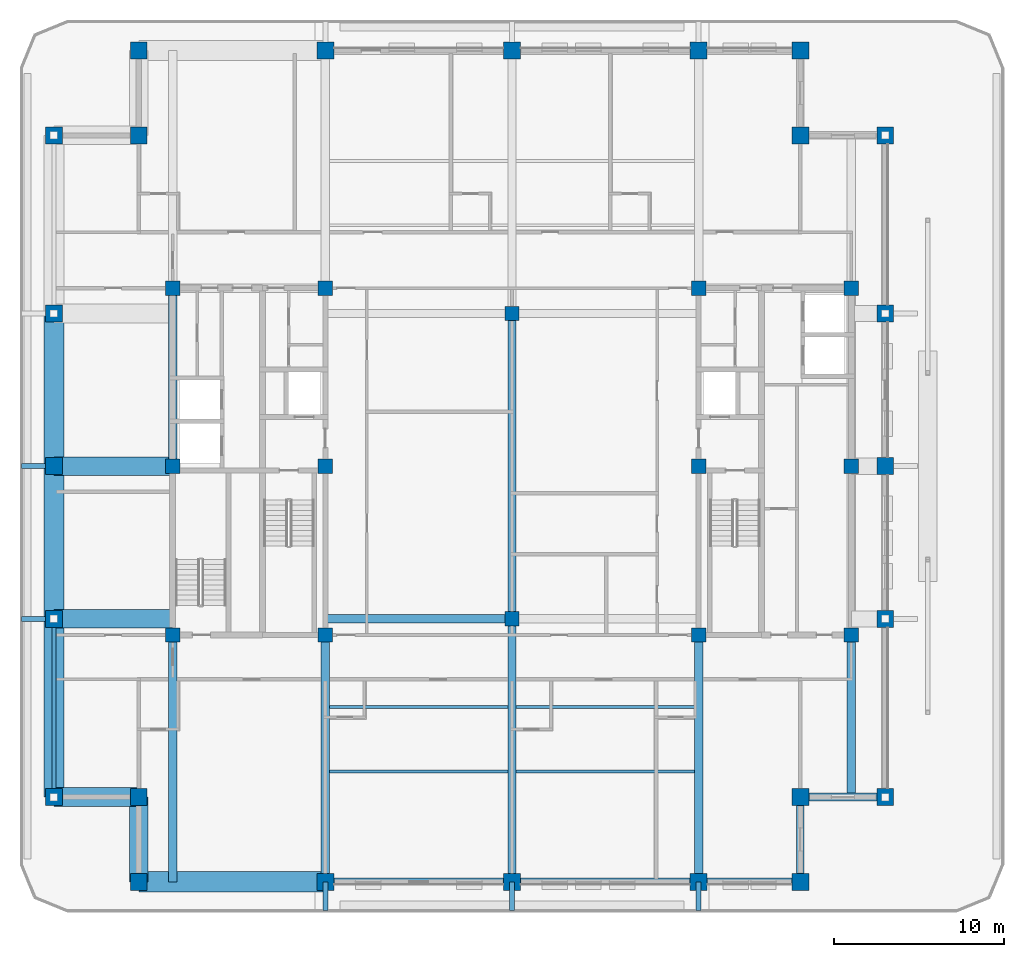
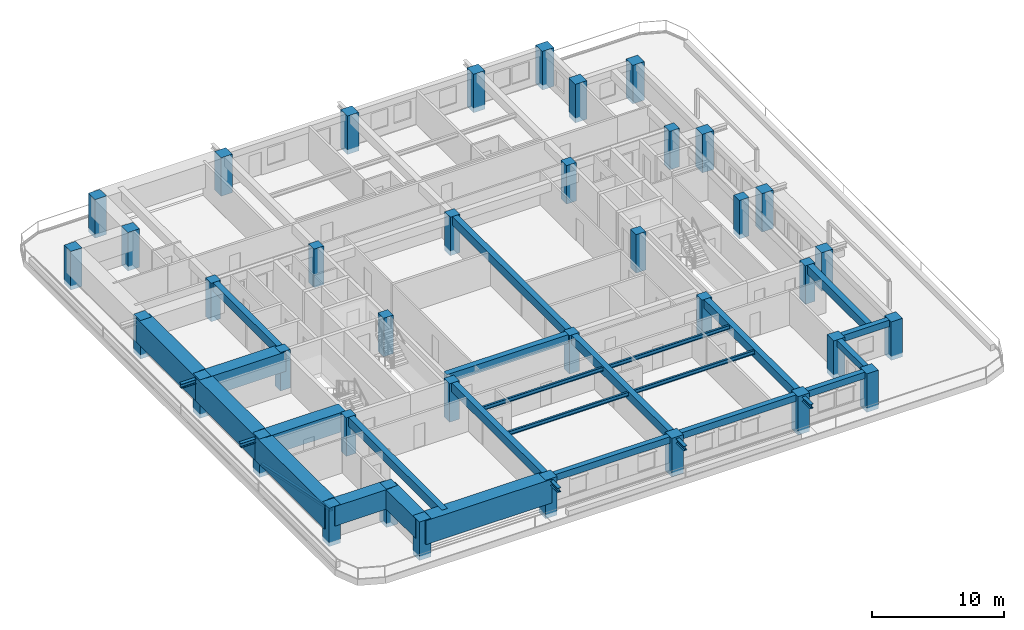
# One storey, part 1 of 18: 38 columns, 30 beams, 1 member.
"""IFC4 building model written with IfcOpenShell, lengths in metres."""

from ifc_helpers import new_model, si_unit, direction, frame, origin, origin_2d, place, context, subcontext, project, spatial, rectangle, hollow_rectangle, i_section, extrude, material, material_profile, profile_set, type_object, element, save


model = new_model("IFC4")

# Units and contexts
model_context = context("Model", 3, precision=1e-05, world=origin(), true_north=direction((0.0, 1.0)))
body_context = subcontext(model_context, "Body", "Model", "MODEL_VIEW")
ifc_project = project(units=[si_unit("LENGTHUNIT", "METRE"), si_unit("AREAUNIT", "SQUARE_METRE"), si_unit("VOLUMEUNIT", "CUBIC_METRE"), si_unit("PLANEANGLEUNIT", "RADIAN"), si_unit("MASSUNIT", "GRAM", prefix="KILO")], contexts=[model_context])

# Site, building, storey
site_placement = place(None, origin())
site = spatial("IfcSite", under=ifc_project, at=site_placement, CompositionType="ELEMENT")
building_placement = place(site_placement, origin())
building = spatial("IfcBuilding", under=site, at=building_placement, Name="Zulmaris Gate Convention Tower", CompositionType="ELEMENT")
storey_placement = place(building_placement, frame((0.0, 0.0, 191.4599609375)))
storey = spatial("IfcBuildingStorey", under=building, at=storey_placement, Name="L49", CompositionType="ELEMENT", Elevation=191.4599609375)

# Columns
ifc_material_1 = material(Name="Concrete C60/75", Category="concrete")
ifc_material_profile_1 = material_profile(ifc_material_1, rectangle(XDim=1.0, YDim=1.0, at=origin_2d()), Name="RC COL 1000x1000")
ifc_profile_set_1 = profile_set([ifc_material_profile_1], Name="Concrete C60/75")
column_type_1 = type_object("IfcColumnType", Name="COL-RC1000", PredefinedType="COLUMN", material=ifc_profile_set_1)
for number, where, z_axis, x_axis, name in (
    (1, (-22.0, -24.5, -0.425048828125), (0.0, 0.0, 1.0), (1.0, 0.0, 0.0), "L49 Column PT--22.00_-24.50"),
    (2, (-11.0, -24.5, -0.425048828125), (0.0, 0.0, 1.0), (1.0, 0.0, 0.0), "L49 Column PT--11.00_-24.50"),
    (3, (0.0, -24.5, -0.425048828125), (0.0, 0.0, 1.0), (1.0, 0.0, 0.0), "L49 Column PT-+0.00_-24.50"),
    (4, (11.0, -24.5, -0.425048828125), (0.0, 0.0, 1.0), (1.0, 0.0, 0.0), "L49 Column PT-+11.00_-24.50"),
    (5, (17.0, -24.5, -0.425048828125), (0.0, 0.0, 1.0), (1.0, 0.0, 0.0), "L49 Column PT-+17.00_-24.50"),
    (6, (-22.0, 24.5, -0.425048828125), (0.0, 0.0, 1.0), (1.0, 0.0, 0.0), "L49 Column PT--22.00_+24.50"),
    (7, (-11.0, 24.5, -0.425048828125), (0.0, 0.0, 1.0), (1.0, 0.0, 0.0), "L49 Column PT--11.00_+24.50"),
    (8, (0.0, 24.5, -0.425048828125), (0.0, 0.0, 1.0), (1.0, 0.0, 0.0), "L49 Column PT-+0.00_+24.50"),
    (9, (11.0, 24.5, -0.425048828125), (0.0, 0.0, 1.0), (1.0, 0.0, 0.0), "L49 Column PT-+11.00_+24.50"),
    (10, (17.0, 24.5, -0.425048828125), (0.0, 0.0, 1.0), (1.0, 0.0, 0.0), "L49 Column PT-+17.00_+24.50"),
    (11, (-27.0, -19.5, -0.425048828125), (0.0, 0.0, 1.0), (1.0, 0.0, 0.0), "L49 Column PT--27.00_-19.50"),
    (12, (-27.0, -9.0, -0.425048828125), (0.0, 0.0, 1.0), (1.0, 0.0, 0.0), "L49 Column PT--27.00_-9.00"),
    (13, (-27.0, 0.0, -0.425048828125), (0.0, 0.0, 1.0), (1.0, 0.0, 0.0), "L49 Column PT--27.00_+0.00"),
    (14, (-27.0, 9.0, -0.425048828125), (0.0, 0.0, 1.0), (1.0, 0.0, 0.0), "L49 Column PT--27.00_+9.00"),
    (15, (-27.0, 19.5, -0.425048828125), (0.0, 0.0, 1.0), (1.0, 0.0, 0.0), "L49 Column PT--27.00_+19.50"),
    (16, (22.0, -19.5, -0.425048828125), (0.0, 0.0, 1.0), (1.0, 0.0, 0.0), "L49 Column PT-+22.00_-19.50"),
    (17, (22.0, -9.0, -0.425048828125), (0.0, 0.0, 1.0), (1.0, 0.0, 0.0), "L49 Column PT-+22.00_-9.00"),
    (18, (22.0, 0.0, -0.425048828125), (0.0, 0.0, 1.0), (1.0, 0.0, 0.0), "L49 Column PT-+22.00_+0.00"),
    (19, (22.0, 9.0, -0.425048828125), (0.0, 0.0, 1.0), (1.0, 0.0, 0.0), "L49 Column PT-+22.00_+9.00"),
    (20, (22.0, 19.5, -0.425048828125), (0.0, 0.0, 1.0), (1.0, 0.0, 0.0), "L49 Column PT-+22.00_+19.50"),
    (21, (-22.0, -19.5, -0.425048828125), (0.0, 0.0, 1.0), (1.0, 0.0, 0.0), "L49 Column PT--22.00_-19.50"),
    (22, (17.0, -19.5, -0.425048828125), (0.0, 0.0, 1.0), (1.0, 0.0, 0.0), "L49 Column PT-+17.00_-19.50"),
    (23, (17.0, 19.5, -0.425048828125), (0.0, 0.0, 1.0), (1.0, 0.0, 0.0), "L49 Column PT-+17.00_+19.50"),
    (24, (-22.0, 19.5, -0.425048828125), (0.0, 0.0, 1.0), (1.0, 0.0, 0.0), "L49 Column PT--22.00_+19.50"),
):
    element("IfcColumn", number, at=place(storey_placement, frame(where, z_axis=z_axis, x_axis=x_axis)), inside=storey, type_object=column_type_1, Name=name, PredefinedType="COLUMN", context=body_context, shape_type="SweptSolid", body=[
        extrude(rectangle(XDim=1.0, YDim=1.0, at=origin_2d()), origin(), (0.0, 0.0, 1.0), 3.550048828125),
    ])
ifc_material_profile_2 = material_profile(ifc_material_1, rectangle(XDim=0.85009765625, YDim=0.85009765625, at=origin_2d()), Name="RC COL 850x850")
ifc_profile_set_2 = profile_set([ifc_material_profile_2], Name="Concrete C60/75")
column_type_2 = type_object("IfcColumnType", Name="COL-RC850", PredefinedType="COLUMN", material=ifc_profile_set_2)
for number, where, z_axis, x_axis, name in (
    (25, (-20.0, -9.949951171875, -0.425048828125), (0.0, 0.0, 1.0), (1.0, 0.0, 0.0), "L49 Column IN--20.00_-9.95"),
    (26, (-20.0, 10.5, -0.425048828125), (0.0, 0.0, 1.0), (1.0, 0.0, 0.0), "L49 Column IN--20.00_+10.50"),
    (27, (-11.0, -9.949951171875, -0.425048828125), (0.0, 0.0, 1.0), (1.0, 0.0, 0.0), "L49 Column IN--11.00_-9.95"),
    (28, (-11.0, 0.0, -0.425048828125), (0.0, 0.0, 1.0), (1.0, 0.0, 0.0), "L49 Column IN--11.00_+0.00"),
    (29, (-11.0, 10.5, -0.425048828125), (0.0, 0.0, 1.0), (1.0, 0.0, 0.0), "L49 Column IN--11.00_+10.50"),
    (30, (11.0, -9.949951171875, -0.425048828125), (0.0, 0.0, 1.0), (1.0, 0.0, 0.0), "L49 Column IN-+11.00_-9.95"),
    (31, (11.0, 0.0, -0.425048828125), (0.0, 0.0, 1.0), (1.0, 0.0, 0.0), "L49 Column IN-+11.00_+0.00"),
    (32, (11.0, 10.5, -0.425048828125), (0.0, 0.0, 1.0), (1.0, 0.0, 0.0), "L49 Column IN-+11.00_+10.50"),
    (33, (20.0, -9.949951171875, -0.425048828125), (0.0, 0.0, 1.0), (1.0, 0.0, 0.0), "L49 Column IN-+20.00_-9.95"),
    (34, (20.0, 10.5, -0.425048828125), (0.0, 0.0, 1.0), (1.0, 0.0, 0.0), "L49 Column IN-+20.00_+10.50"),
    (35, (0.0, -9.0, -0.425048828125), (0.0, 0.0, 1.0), (1.0, 0.0, 0.0), "L49 Column IN-+0.00_-9.00"),
    (36, (0.0, 9.0, -0.425048828125), (0.0, 0.0, 1.0), (1.0, 0.0, 0.0), "L49 Column IN-+0.00_+9.00"),
    (37, (-20.0, 0.0, -0.425048828125), (0.0, 0.0, 1.0), (1.0, 0.0, 0.0), "L49 Column IN--20.00_+0.00"),
    (38, (20.0, 0.0, -0.425048828125), (0.0, 0.0, 1.0), (1.0, 0.0, 0.0), "L49 Column IN-+20.00_+0.00"),
):
    element("IfcColumn", number, at=place(storey_placement, frame(where, z_axis=z_axis, x_axis=x_axis)), inside=storey, type_object=column_type_2, Name=name, PredefinedType="COLUMN", context=body_context, shape_type="SweptSolid", body=[
        extrude(rectangle(XDim=0.85009765625, YDim=0.85009765625, at=origin_2d()), origin(), (0.0, 0.0, 1.0), 3.550048828125),
    ])

# Beams
ifc_material_2 = material(Name="Steel S355", Category="steel")
ifc_material_profile_3 = material_profile(ifc_material_2, i_section(OverallWidth=0.300048828125, OverallDepth=0.39990234375, WebThickness=0.013427734375, FlangeThickness=0.02392578125, FilletRadius=0.027099609375, at=origin_2d()), Name="HEB 400")
ifc_profile_set_3 = profile_set([ifc_material_profile_3], Name="Steel S355")
beam_type_1 = type_object("IfcBeamType", Name="BM-HEB400", PredefinedType="BEAM", material=ifc_profile_set_3)
for number, where, z_axis, x_axis, name in (
    (39, (-11.0, -26.199951171875, 2.77294921875), (0.0, 1.0, 0.0), (-1.0, 0.0, 0.0), "L49 Beam TBRK-L49-S--11"),
    (40, (0.0, -26.199951171875, 2.77294921875), (0.0, 1.0, 0.0), (-1.0, 0.0, 0.0), "L49 Beam TBRK-L49-S-+0"),
    (41, (11.0, -26.199951171875, 2.77294921875), (0.0, 1.0, 0.0), (-1.0, 0.0, 0.0), "L49 Beam TBRK-L49-S-+11"),
):
    element("IfcBeam", number, at=place(storey_placement, frame(where, z_axis=z_axis, x_axis=x_axis)), inside=storey, type_object=beam_type_1, Name=name, PredefinedType="BEAM", context=body_context, shape_type="SweptSolid", body=[
        extrude(i_section(OverallWidth=0.300048828125, OverallDepth=0.39990234375, WebThickness=0.013427734375, FlangeThickness=0.02392578125, FilletRadius=0.027099609375, at=origin_2d()), origin(), (0.0, 0.0, 1.0), 1.699951171875),
    ])
for number, where, z_axis, x_axis, name in (
    (42, (-28.89990234375, -9.0, 2.784912109375), (1.0, 0.0, 0.0), (0.0, 1.0, 0.0), "L49 Beam TBRK-L49-W--9"),
    (43, (-28.89990234375, 0.0, 2.784912109375), (1.0, 0.0, 0.0), (0.0, 1.0, 0.0), "L49 Beam TBRK-L49-W-+0"),
):
    element("IfcBeam", number, at=place(storey_placement, frame(where, z_axis=z_axis, x_axis=x_axis)), inside=storey, type_object=beam_type_1, Name=name, PredefinedType="BEAM", context=body_context, shape_type="SweptSolid", body=[
        extrude(i_section(OverallWidth=0.300048828125, OverallDepth=0.39990234375, WebThickness=0.013427734375, FlangeThickness=0.02392578125, FilletRadius=0.027099609375, at=origin_2d()), origin(), (0.0, 0.0, 1.0), 1.89990234375),
    ])
ifc_material_3 = material(Name="Concrete C50/60", Category="concrete")
ifc_material_profile_4 = material_profile(ifc_material_3, rectangle(XDim=0.5, YDim=0.800048828125, at=origin_2d()), Name="RC BEAM 500x800")
ifc_profile_set_4 = profile_set([ifc_material_profile_4], Name="Concrete C50/60")
beam_type_2 = type_object("IfcBeamType", Name="BM-RC500x800", PredefinedType="BEAM", material=ifc_profile_set_4)
beam_1_placement = place(storey_placement, frame((-11.0, -9.0, 2.724853515625), z_axis=(1.0, 0.0, 0.0), x_axis=(0.0, 1.0, 0.0)))
element("IfcBeam", 44, at=beam_1_placement, inside=storey, type_object=beam_type_2, Name="L49 Beam BM-L49-G01", PredefinedType="BEAM", context=body_context, shape_type="SweptSolid", body=[
    extrude(rectangle(XDim=0.5, YDim=0.800048828125, at=origin_2d()), origin(), (0.0, 0.0, 1.0), 11.0),
])
beam_2_placement = place(storey_placement, frame((0.0, -24.5, 2.724853515625), z_axis=(0.0, 1.0, 0.0), x_axis=(-1.0, 0.0, 0.0)))
element("IfcBeam", 45, at=beam_2_placement, inside=storey, type_object=beam_type_2, Name="L49 Beam BM-L49-G05", PredefinedType="BEAM", context=body_context, shape_type="SweptSolid", body=[
    extrude(rectangle(XDim=0.5, YDim=0.800048828125, at=origin_2d()), origin(), (0.0, 0.0, 1.0), 15.5),
])
beam_3_placement = place(storey_placement, frame((0.0, -9.0, 2.724853515625), z_axis=(0.0, 1.0, 0.0), x_axis=(-1.0, 0.0, 0.0)))
element("IfcBeam", 46, at=beam_3_placement, inside=storey, type_object=beam_type_2, Name="L49 Beam BM-L49-G06", PredefinedType="BEAM", context=body_context, shape_type="SweptSolid", body=[
    extrude(rectangle(XDim=0.5, YDim=0.800048828125, at=origin_2d()), origin(), (0.0, 0.0, 1.0), 18.0),
])
for number, where, z_axis, x_axis, name in (
    (47, (-11.0, -24.5, 2.724853515625), (0.0, 1.0, 0.0), (-1.0, 0.0, 0.0), "L49 Beam BM-L49-G08"),
    (48, (11.0, -24.5, 2.724853515625), (0.0, 1.0, 0.0), (-1.0, 0.0, 0.0), "L49 Beam BM-L49-G10"),
    (49, (-20.0, -24.5, 2.724853515625), (0.0, 1.0, 0.0), (-1.0, 0.0, 0.0), "L49 Beam BM-L49-G12"),
):
    element("IfcBeam", number, at=place(storey_placement, frame(where, z_axis=z_axis, x_axis=x_axis)), inside=storey, type_object=beam_type_2, Name=name, PredefinedType="BEAM", context=body_context, shape_type="SweptSolid", body=[
        extrude(rectangle(XDim=0.5, YDim=0.800048828125, at=origin_2d()), origin(), (0.0, 0.0, 1.0), 14.550048828125),
    ])
beam_4_placement = place(storey_placement, frame((20.0, -19.5, 2.724853515625), z_axis=(0.0, 1.0, 0.0), x_axis=(-1.0, 0.0, 0.0)))
element("IfcBeam", 50, at=beam_4_placement, inside=storey, type_object=beam_type_2, Name="L49 Beam BM-L49-G14", PredefinedType="BEAM", context=body_context, shape_type="SweptSolid", body=[
    extrude(rectangle(XDim=0.5, YDim=0.800048828125, at=origin_2d()), origin(), (0.0, 0.0, 1.0), 9.550048828125),
])
beam_5_placement = place(storey_placement, frame((-20.0, 0.0, 2.724853515625), z_axis=(0.0, 1.0, 0.0), x_axis=(-1.0, 0.0, 0.0)))
element("IfcBeam", 51, at=beam_5_placement, inside=storey, type_object=beam_type_2, Name="L49 Beam BM-L49-G27", PredefinedType="BEAM", context=body_context, shape_type="SweptSolid", body=[
    extrude(rectangle(XDim=0.5, YDim=0.800048828125, at=origin_2d()), origin(), (0.0, 0.0, 1.0), 10.5),
])
ifc_material_4 = material(Name="Precast concrete C50/60", Category="concrete")
ifc_material_profile_5 = material_profile(ifc_material_4, rectangle(XDim=0.449951171875, YDim=0.60009765625, at=origin_2d()), Name="RC SPANDREL 450x600")
ifc_profile_set_5 = profile_set([ifc_material_profile_5], Name="Precast concrete C50/60")
beam_type_3 = type_object("IfcBeamType", Name="BM-SP450x600", PredefinedType="SPANDREL", material=ifc_profile_set_5)
for number, where, z_axis, x_axis, name in (
    (52, (-11.0, -24.5, 2.824951171875), (1.0, 0.0, 0.0), (0.0, 1.0, 0.0), "L49 Spandrel SP-L49-02"),
    (53, (0.0, -24.5, 2.824951171875), (1.0, 0.0, 0.0), (0.0, 1.0, 0.0), "L49 Spandrel SP-L49-03"),
):
    element("IfcBeam", number, at=place(storey_placement, frame(where, z_axis=z_axis, x_axis=x_axis)), inside=storey, type_object=beam_type_3, Name=name, PredefinedType="SPANDREL", context=body_context, shape_type="SweptSolid", body=[
        extrude(rectangle(XDim=0.449951171875, YDim=0.60009765625, at=origin_2d()), origin(), (0.0, 0.0, 1.0), 11.0),
    ])
beam_6_placement = place(storey_placement, frame((11.0, -24.5, 2.824951171875), z_axis=(1.0, 0.0, 0.0), x_axis=(0.0, 1.0, 0.0)))
element("IfcBeam", 54, at=beam_6_placement, inside=storey, type_object=beam_type_3, Name="L49 Spandrel SP-L49-04", PredefinedType="SPANDREL", context=body_context, shape_type="SweptSolid", body=[
    extrude(rectangle(XDim=0.449951171875, YDim=0.60009765625, at=origin_2d()), origin(), (0.0, 0.0, 1.0), 6.0),
])
for number, where, z_axis, x_axis, name in (
    (55, (17.0, -24.5, 2.824951171875), (0.0, 1.0, 0.0), (-1.0, 0.0, 0.0), "L49 Spandrel SP-L49-05"),
    (56, (17.0, -19.5, 2.824951171875), (1.0, 0.0, 0.0), (0.0, 1.0, 0.0), "L49 Spandrel SP-L49-06"),
):
    element("IfcBeam", number, at=place(storey_placement, frame(where, z_axis=z_axis, x_axis=x_axis)), inside=storey, type_object=beam_type_3, Name=name, PredefinedType="SPANDREL", context=body_context, shape_type="SweptSolid", body=[
        extrude(rectangle(XDim=0.449951171875, YDim=0.60009765625, at=origin_2d()), origin(), (0.0, 0.0, 1.0), 5.0),
    ])
ifc_material_5 = material(Name="Concrete C80/95", Category="concrete")
ifc_material_profile_6 = material_profile(ifc_material_5, rectangle(XDim=1.10009765625, YDim=1.800048828125, at=origin_2d()), Name="RC TRANSFER 1100x1800")
ifc_profile_set_6 = profile_set([ifc_material_profile_6], Name="Concrete C80/95")
beam_type_4 = type_object("IfcBeamType", Name="BM-XFER1800", PredefinedType="BEAM", material=ifc_profile_set_6)
for number, where, z_axis, x_axis, name in (
    (57, (-27.0, -19.5, 2.224853515625), (1.0, 0.0, 0.0), (0.0, 1.0, 0.0), "L49 Beam SP-L49-23"),
    (58, (-22.0, -19.5, 2.224853515625), (0.0, -1.0, 0.0), (1.0, 0.0, 0.0), "L49 Beam SP-L49-24"),
):
    element("IfcBeam", number, at=place(storey_placement, frame(where, z_axis=z_axis, x_axis=x_axis)), inside=storey, type_object=beam_type_4, Name=name, PredefinedType="BEAM", context=body_context, shape_type="SweptSolid", body=[
        extrude(rectangle(XDim=1.10009765625, YDim=1.800048828125, at=origin_2d()), origin(), (0.0, 0.0, 1.0), 5.0),
    ])
for number, where, z_axis, x_axis, name in (
    (59, (-27.0, -9.0, 2.224853515625), (1.0, 0.0, 0.0), (0.0, 1.0, 0.0), "L49 Beam BM-L49-G16"),
    (60, (-27.0, 0.0, 2.224853515625), (1.0, 0.0, 0.0), (0.0, 1.0, 0.0), "L49 Beam BM-L49-G17"),
):
    element("IfcBeam", number, at=place(storey_placement, frame(where, z_axis=z_axis, x_axis=x_axis)), inside=storey, type_object=beam_type_4, Name=name, PredefinedType="BEAM", context=body_context, shape_type="SweptSolid", body=[
        extrude(rectangle(XDim=1.10009765625, YDim=1.800048828125, at=origin_2d()), origin(), (0.0, 0.0, 1.0), 7.0),
    ])
ifc_material_profile_7 = material_profile(ifc_material_5, rectangle(XDim=1.199951171875, YDim=2.199951171875, at=origin_2d()), Name="RC TRANSFER 1200x2200")
ifc_profile_set_7 = profile_set([ifc_material_profile_7], Name="Concrete C80/95")
beam_type_5 = type_object("IfcBeamType", Name="BM-XFER2200", PredefinedType="BEAM", material=ifc_profile_set_7)
beam_7_placement = place(storey_placement, frame((-22.0, -24.5, 2.02490234375), z_axis=(1.0, 0.0, 0.0), x_axis=(0.0, 1.0, 0.0)))
element("IfcBeam", 61, at=beam_7_placement, inside=storey, type_object=beam_type_5, Name="L49 Beam SP-L49-01", PredefinedType="BEAM", context=body_context, shape_type="SweptSolid", body=[
    extrude(rectangle(XDim=1.199951171875, YDim=2.199951171875, at=origin_2d()), origin(), (0.0, 0.0, 1.0), 11.0),
])
for number, where, z_axis, x_axis, name in (
    (62, (-27.0, 9.0, 2.02490234375), (0.0, -1.0, 0.0), (1.0, 0.0, 0.0), "L49 Beam SP-L49-20"),
    (63, (-27.0, 0.0, 2.02490234375), (0.0, -1.0, 0.0), (1.0, 0.0, 0.0), "L49 Beam SP-L49-21"),
):
    element("IfcBeam", number, at=place(storey_placement, frame(where, z_axis=z_axis, x_axis=x_axis)), inside=storey, type_object=beam_type_5, Name=name, PredefinedType="BEAM", context=body_context, shape_type="SweptSolid", body=[
        extrude(rectangle(XDim=1.199951171875, YDim=2.199951171875, at=origin_2d()), origin(), (0.0, 0.0, 1.0), 9.0),
    ])
beam_8_placement = place(storey_placement, frame((-27.0, -9.0, 2.02490234375), z_axis=(0.0, -1.0, 0.0), x_axis=(1.0, 0.0, 0.0)))
element("IfcBeam", 64, at=beam_8_placement, inside=storey, type_object=beam_type_5, Name="L49 Beam SP-L49-22", PredefinedType="BEAM", context=body_context, shape_type="SweptSolid", body=[
    extrude(rectangle(XDim=1.199951171875, YDim=2.199951171875, at=origin_2d()), origin(), (0.0, 0.0, 1.0), 10.5),
])

# Member
ifc_material_profile_8 = material_profile(ifc_material_2, hollow_rectangle(XDim=0.25, YDim=0.25, WallThickness=0.012451171875, at=origin_2d()), Name="SHS 250x250x12.5")
ifc_profile_set_8 = profile_set([ifc_material_profile_8], Name="Steel S355")
member_type = type_object("IfcMemberType", Name="BR-SHS250", PredefinedType="BRACE", material=ifc_profile_set_8)
member_placement = place(storey_placement, frame((-27.0, -9.0, 0.300048828125), z_axis=(0.0, -0.978656608688, 0.205502414273), x_axis=(1.0, 0.0, 0.0)))
element("IfcMember", 65, at=member_placement, inside=storey, type_object=member_type, Name="L49 Perimeter Tube Diagonal SW-W", PredefinedType="BRACE", context=body_context, shape_type="SweptSolid", body=[
    extrude(hollow_rectangle(XDim=0.25, YDim=0.25, WallThickness=0.012451171875, at=origin_2d()), origin(), (0.0, 0.0, 1.0), 10.72900390625),
])

# Beams
ifc_material_profile_9 = material_profile(ifc_material_2, i_section(OverallWidth=0.169921875, OverallDepth=0.360107421875, WebThickness=0.008056640625, FlangeThickness=0.0126953125, FilletRadius=0.01806640625, at=origin_2d()), Name="IPE 360")
ifc_profile_set_9 = profile_set([ifc_material_profile_9], Name="Steel S355")
beam_type_6 = type_object("IfcBeamType", Name="JT-IPE360", PredefinedType="JOIST", material=ifc_profile_set_9)
for number, where, z_axis, x_axis, name in (
    (66, (-10.75, -18.0, 2.94287109375), (1.0, 0.0, 0.0), (0.0, 1.0, 0.0), "L49 Joist JT-L49-CW--18.0"),
    (67, (0.25, -18.0, 2.94287109375), (1.0, 0.0, 0.0), (0.0, 1.0, 0.0), "L49 Joist JT-L49-CE--18.0"),
    (68, (-10.75, -14.199951171875, 2.94287109375), (1.0, 0.0, 0.0), (0.0, 1.0, 0.0), "L49 Joist JT-L49-CW--14.2"),
    (69, (0.25, -14.199951171875, 2.94287109375), (1.0, 0.0, 0.0), (0.0, 1.0, 0.0), "L49 Joist JT-L49-CE--14.2"),
):
    element("IfcBeam", number, at=place(storey_placement, frame(where, z_axis=z_axis, x_axis=x_axis)), inside=storey, type_object=beam_type_6, Name=name, PredefinedType="JOIST", context=body_context, shape_type="SweptSolid", body=[
        extrude(i_section(OverallWidth=0.169921875, OverallDepth=0.360107421875, WebThickness=0.008056640625, FlangeThickness=0.0126953125, FilletRadius=0.01806640625, at=origin_2d()), origin(), (0.0, 0.0, 1.0), 10.5),
    ])

save(model, "model.ifc")
